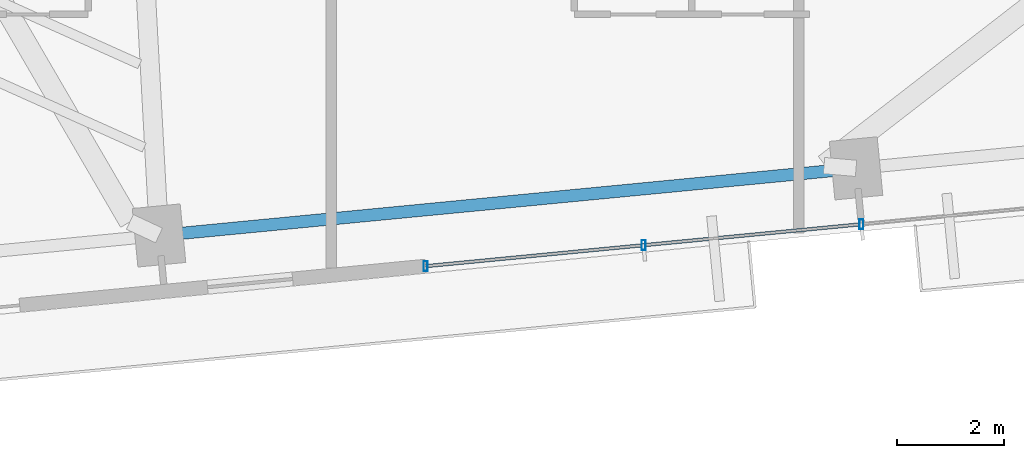
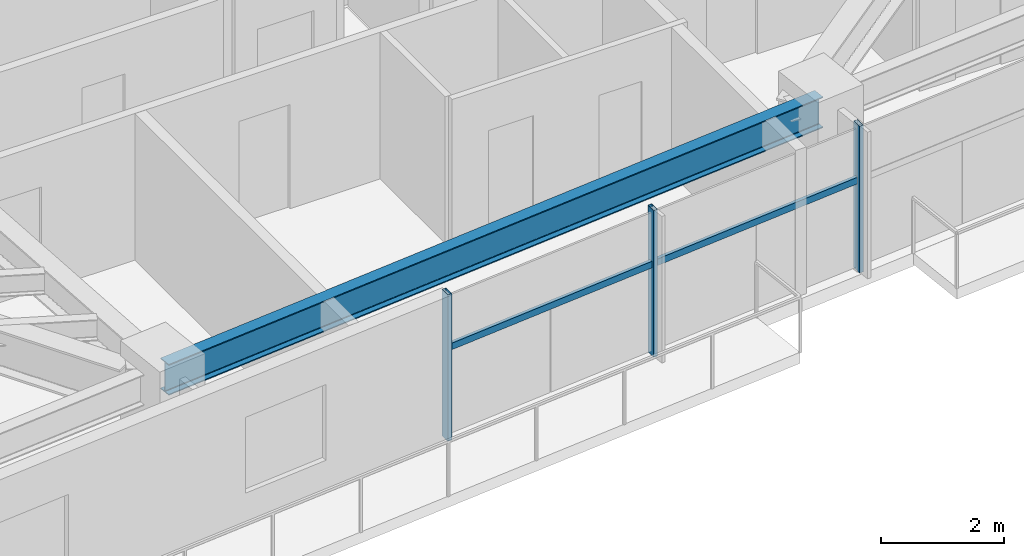
# One storey, part 6 of 27: 5 members, 1 beam, 1 element without a shape of its own.
"""IFC4 building model written with IfcOpenShell, lengths in metres."""

from ifc_helpers import new_model, si_unit, direction, frame, origin, origin_2d, place, context, subcontext, project, spatial, hollow_rectangle, i_section, extrude, source, transform, mapped, material, material_profile, profile_set, type_object, type_shapes, element, aggregate, save


model = new_model("IFC4")

# Units and contexts
model_context = context("Model", 3, precision=1e-05, world=origin(), true_north=direction((0.0, 1.0)))
body_context = subcontext(model_context, "Body", "Model", "MODEL_VIEW")
ifc_project = project(units=[si_unit("LENGTHUNIT", "METRE"), si_unit("AREAUNIT", "SQUARE_METRE"), si_unit("VOLUMEUNIT", "CUBIC_METRE"), si_unit("PLANEANGLEUNIT", "RADIAN"), si_unit("MASSUNIT", "GRAM", prefix="KILO")], contexts=[model_context])

# Site, building, storey
site_placement = place(None, origin())
site = spatial("IfcSite", under=ifc_project, at=site_placement, CompositionType="ELEMENT")
building_placement = place(site_placement, origin())
building = spatial("IfcBuilding", under=site, at=building_placement, Name="Astriad Promenade Condominiums", CompositionType="ELEMENT")
storey_placement = place(building_placement, frame((0.0, 0.0, 116.199951171875)))
storey = spatial("IfcBuildingStorey", under=building, at=storey_placement, Name="L33", CompositionType="ELEMENT", Elevation=116.199951171875)

# Beam
ifc_material_1 = material(Name="Steel ASTM A992 Grade 50", Category="steel")
ifc_material_profile_1 = material_profile(ifc_material_1, i_section(OverallWidth=0.22900390625, OverallDepth=0.612060546875, WebThickness=0.011962890625, FlangeThickness=0.01953125, FilletRadius=0.017822265625, at=origin_2d()), Name="W24X84")
ifc_profile_set_1 = profile_set([ifc_material_profile_1], Name="Steel ASTM A992 Grade 50")
beam_type = type_object("IfcBeamType", Name="STEEL SPANDREL BEAM W24X84", PredefinedType="SPANDREL", material=ifc_profile_set_1)
shared_shape_1 = source(origin(), body_context, "Body", "SweptSolid", [
    extrude(i_section(OverallWidth=0.22900390625, OverallDepth=0.612060546875, WebThickness=0.011962890625, FlangeThickness=0.01953125, FilletRadius=0.017822265625, at=origin_2d()), origin(), (0.0, 0.0, 1.0), 13.020263671875),
])
type_shapes(beam_type, [shared_shape_1])
beam_placement = place(storey_placement, frame((27.04541015625, 6.268798828125, 2.593994140625), z_axis=(0.995395311238, 0.095854965264, 0.0), x_axis=(-0.095854965264, 0.995395311238, 0.0)))
element("IfcBeam", 1, at=beam_placement, inside=storey, type_object=beam_type, Name="Perimeter Spandrel Beam SP-S2-L33", PredefinedType="SPANDREL", context=body_context, shape_type="MappedRepresentation", body=[
    mapped(shared_shape_1, transform((0.0, 0.0, 0.0), scale=1.0)),
])

# Curtain wall, members
ifc_material_2 = material(Name="Anodised aluminium Black Dark Glass Unitised", Category="aluminium")
curtain_wall_type = type_object("IfcCurtainWallType", Name="CW-B2-DARK", PredefinedType="USERDEFINED", material=ifc_material_2)
curtain_wall_placement = place(storey_placement, origin())
curtain_wall = element("IfcCurtainWall", 2, at=curtain_wall_placement, inside=storey, type_object=curtain_wall_type, Name="CW-L33-S", ObjectType="UNITISED_CURTAIN_WALL", PredefinedType="USERDEFINED")
ifc_material_3 = material(Name="Anodised aluminium 6063-T6 Black", Category="aluminium")
ifc_material_profile_2 = material_profile(ifc_material_3, hollow_rectangle(XDim=0.06494140625, YDim=0.1298828125, WallThickness=0.00390625, at=origin_2d()), Name="ALU-TRN-65X130")
ifc_profile_set_2 = profile_set([ifc_material_profile_2], Name="Anodised aluminium 6063-T6 Black")
member_type_1 = type_object("IfcMemberType", Name="TRN-ALU-TRN-65X130", PredefinedType="USERDEFINED", material=ifc_profile_set_2)
shared_shape_2 = source(origin(), body_context, "Body", "SweptSolid", [
    extrude(hollow_rectangle(XDim=0.06494140625, YDim=0.1298828125, WallThickness=0.00390625, at=origin_2d()), origin(), (0.0, 0.0, 1.0), 4.094970703125),
])
type_shapes(member_type_1, [shared_shape_2])
member_1_placement = place(storey_placement, frame((40.14599609375, 6.475341796875, 1.798095703125), z_axis=(-0.995399849002, -0.095807831657, 0.0), x_axis=(0.095807831657, -0.995399849002, 0.0)))
member_1 = element("IfcMember", 3, at=member_1_placement, type_object=member_type_1, Name="CW-L33-S-TRN-02-0", ObjectType="TRANSOM", PredefinedType="USERDEFINED", context=body_context, shape_type="MappedRepresentation", body=[
    mapped(shared_shape_2, transform((0.0, 0.0, 0.0), scale=1.0)),
])
member_2_placement = place(storey_placement, frame((36.06982421875, 6.0830078125, 1.798095703125), z_axis=(-0.995394161585, -0.09586690296, 0.0), x_axis=(0.09586690296, -0.995394161585, 0.0)))
member_2 = element("IfcMember", 4, at=member_2_placement, type_object=member_type_1, Name="CW-L33-S-TRN-03-0", ObjectType="TRANSOM", PredefinedType="USERDEFINED", context=body_context, shape_type="MappedRepresentation", body=[
    mapped(shared_shape_2, transform((0.0, 0.0, 0.0), scale=1.0)),
])
ifc_material_profile_3 = material_profile(ifc_material_3, hollow_rectangle(XDim=0.074951171875, YDim=0.18505859375, WallThickness=0.00439453125, at=origin_2d()), Name="ALU-MUL-75X185")
ifc_profile_set_3 = profile_set([ifc_material_profile_3], Name="Anodised aluminium 6063-T6 Black")
member_type_2 = type_object("IfcMemberType", Name="MUL-ALU-MUL-75X185", PredefinedType="MULLION", material=ifc_profile_set_3)
shared_shape_3 = source(origin(), body_context, "Body", "SweptSolid", [
    extrude(hollow_rectangle(XDim=0.074951171875, YDim=0.18505859375, WallThickness=0.00439453125, at=origin_2d()), origin(), (0.0, 0.0, 1.0), 2.900146484375),
])
type_shapes(member_type_2, [shared_shape_3])
member_3_placement = place(storey_placement, frame((40.14599609375, 6.475341796875, 0.0), z_axis=(0.0, 0.0, 1.0), x_axis=(1.0, 0.0, 0.0)))
member_3 = element("IfcMember", 5, at=member_3_placement, type_object=member_type_2, Name="CW-L33-S-MUL-02", PredefinedType="MULLION", context=body_context, shape_type="MappedRepresentation", body=[
    mapped(shared_shape_3, transform((0.0, 0.0, 0.0), scale=1.0)),
])
member_4_placement = place(storey_placement, frame((36.06982421875, 6.0830078125, 0.0), z_axis=(0.0, 0.0, 1.0), x_axis=(1.0, 0.0, 0.0)))
member_4 = element("IfcMember", 6, at=member_4_placement, type_object=member_type_2, Name="CW-L33-S-MUL-03", PredefinedType="MULLION", context=body_context, shape_type="MappedRepresentation", body=[
    mapped(shared_shape_3, transform((0.0, 0.0, 0.0), scale=1.0)),
])
member_5_placement = place(storey_placement, frame((31.99365234375, 5.6904296875, 0.0), z_axis=(0.0, 0.0, 1.0), x_axis=(1.0, 0.0, 0.0)))
member_5 = element("IfcMember", 7, at=member_5_placement, type_object=member_type_2, Name="CW-L33-S-MUL-04", PredefinedType="MULLION", context=body_context, shape_type="MappedRepresentation", body=[
    mapped(shared_shape_3, transform((0.0, 0.0, 0.0), scale=1.0)),
])
aggregate(curtain_wall, [member_3, member_4, member_5, member_1, member_2])

save(model, "model.ifc")
